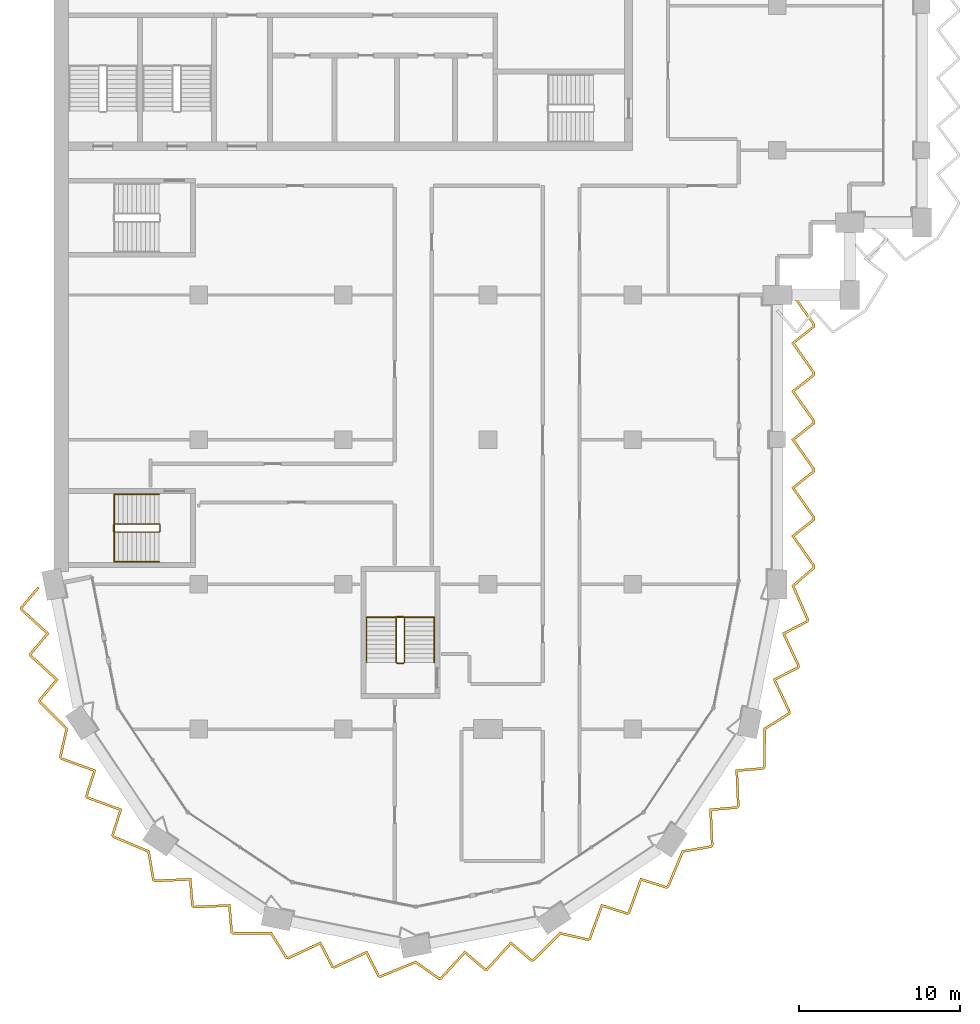
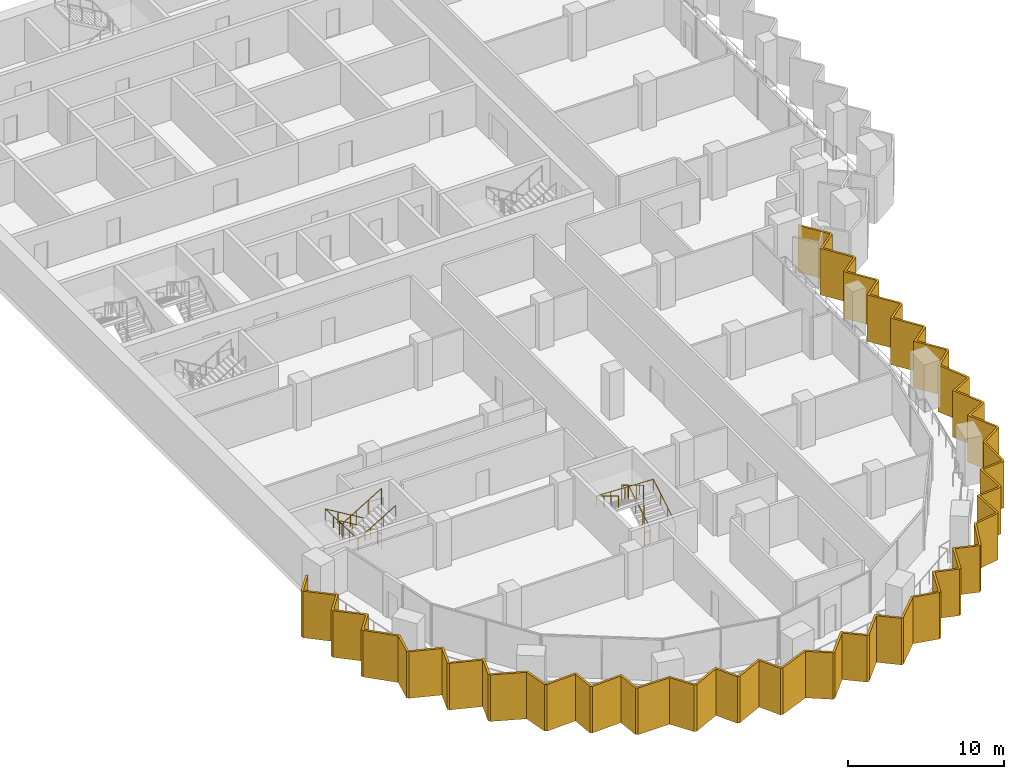
# One storey, part 14 of 17: 4 railings, 1 shading device.
"""IFC4 building model written with IfcOpenShell, lengths in metres."""

from ifc_helpers import new_model, si_unit, direction, frame, origin, origin_2d, place, context, subcontext, project, spatial, polyline, circle, outline, extrude, material, layer, layer_set, type_object, element, save


model = new_model("IFC4")

# Units and contexts
model_context = context("Model", 3, precision=1e-05, world=origin(), true_north=direction((0.0, 1.0)))
body_context = subcontext(model_context, "Body", "Model", "MODEL_VIEW")
ifc_project = project(units=[si_unit("LENGTHUNIT", "METRE"), si_unit("AREAUNIT", "SQUARE_METRE"), si_unit("VOLUMEUNIT", "CUBIC_METRE"), si_unit("PLANEANGLEUNIT", "RADIAN"), si_unit("MASSUNIT", "GRAM", prefix="KILO")], contexts=[model_context])

# Site, building, storey
site_placement = place(None, origin())
site = spatial("IfcSite", under=ifc_project, at=site_placement, CompositionType="ELEMENT")
building_placement = place(site_placement, origin())
building = spatial("IfcBuilding", under=site, at=building_placement, Name="Hunhe Ridgeline Campus", CompositionType="ELEMENT")
storey_placement = place(building_placement, frame((0.0, 0.0, 208.699951171875)))
storey = spatial("IfcBuildingStorey", under=building, at=storey_placement, Name="L53", CompositionType="ELEMENT", Elevation=208.699951171875)

# Shading device
ifc_material_1 = material(Name="Concrete C50", Category="concrete")
ifc_layer = layer(ifc_material_1, 0.14990234375)
ifc_layer_set = layer_set([ifc_layer], Name="Sawtooth concrete fin 150 Concrete C50")
shading_device_type = type_object("IfcShadingDeviceType", Name="Sawtooth concrete fin 150 Concrete C50", PredefinedType="USERDEFINED", material=ifc_layer_set)
shading_device_placement = place(storey_placement, frame((0.0, 0.0, -0.949951171875)))
element("IfcShadingDevice", 1, at=shading_device_placement, inside=storey, type_object=shading_device_type, Name="Concrete fin screen 1", ObjectType="FIN", PredefinedType="USERDEFINED", context=body_context, shape_type="SweptSolid", body=[
    extrude(outline(polyline([(-0.89892578125, 35.761474609375), (-1.013671875, 35.858154296875), (-2.109619140625, 34.56005859375), (-2.074462890625, 34.3828125), (-0.4892578125, 32.932861328125), (-1.538818359375, 31.68994140625), (-1.50341796875, 31.5126953125), (0.081787109375, 30.062744140625), (-0.9677734375, 28.81982421875), (-0.932861328125, 28.64453125), (0.7119140625, 26.985595703125), (0.31689453125, 25.248779296875), (0.4150390625, 25.101806640625), (2.4345703125, 24.368896484375), (1.9404296875, 22.81884765625), (2.041015625, 22.66845703125), (4.060302734375, 21.935791015625), (3.56640625, 20.385498046875), (3.66552734375, 20.237060546875), (5.820068359375, 19.333984375), (6.119873046875, 17.578125), (6.266845703125, 17.479736328125), (8.412841796875, 17.575439453125), (8.5498046875, 15.954345703125), (8.699951171875, 15.85400390625), (10.84619140625, 15.94970703125), (10.98291015625, 14.32861328125), (11.131591796875, 14.229248046875), (13.4677734375, 14.219482421875), (14.41650390625, 12.7119140625), (14.58984375, 12.677490234375), (16.535888671875, 13.587158203125), (17.28271484375, 12.141845703125), (17.4599609375, 12.1064453125), (19.406005859375, 13.01611328125), (20.15283203125, 11.57080078125), (20.328125, 11.535888671875), (22.490234375, 12.4208984375), (23.94384765625, 11.39111328125), (24.1171875, 11.425537109375), (25.567138671875, 13.0107421875), (26.81005859375, 11.961181640625), (26.9873046875, 11.99658203125), (28.437255859375, 13.581787109375), (29.68017578125, 12.5322265625), (29.85546875, 12.567138671875), (31.514404296875, 14.2119140625), (33.251220703125, 13.81689453125), (33.398193359375, 13.9150390625), (34.131103515625, 15.9345703125), (35.68115234375, 15.4404296875), (35.83154296875, 15.541015625), (36.564208984375, 17.560302734375), (38.114501953125, 17.06640625), (38.262939453125, 17.16552734375), (39.166015625, 19.320068359375), (40.921875, 19.619873046875), (41.020263671875, 19.766845703125), (40.924560546875, 21.912841796875), (42.545654296875, 22.0498046875), (42.64599609375, 22.199951171875), (42.55029296875, 24.34619140625), (44.17138671875, 24.48291015625), (44.270751953125, 24.631591796875), (44.280517578125, 26.9677734375), (45.7880859375, 27.91650390625), (45.822509765625, 28.08984375), (44.912841796875, 30.035888671875), (46.358154296875, 30.78271484375), (46.3935546875, 30.9599609375), (45.48388671875, 32.906005859375), (46.92919921875, 33.65283203125), (46.964111328125, 33.8291015625), (46.065673828125, 35.883544921875), (47.35009765625, 37.002685546875), (47.35009765625, 37.1806640625), (46.0771484375, 38.9853515625), (47.35009765625, 40.000732421875), (47.35009765625, 40.1806640625), (46.0771484375, 41.9853515625), (47.35009765625, 43.000732421875), (47.35009765625, 43.1806640625), (46.0771484375, 44.9853515625), (47.35009765625, 46.000732421875), (47.35009765625, 46.1806640625), (46.0771484375, 47.9853515625), (47.35009765625, 49.000732421875), (47.35009765625, 49.1806640625), (46.0771484375, 50.9853515625), (47.35009765625, 52.000732421875), (47.35009765625, 52.1806640625), (46.036376953125, 54.043212890625), (45.913818359375, 53.956787109375), (47.199951171875, 52.133056640625), (47.199951171875, 52.072998046875), (45.873046875, 51.0146484375), (47.199951171875, 49.133056640625), (47.199951171875, 49.072998046875), (45.873046875, 48.0146484375), (47.199951171875, 46.133056640625), (47.199951171875, 46.072998046875), (45.873046875, 45.0146484375), (47.199951171875, 43.133056640625), (47.199951171875, 43.072998046875), (45.873046875, 42.0146484375), (47.199951171875, 40.133056640625), (47.199951171875, 40.072998046875), (45.873046875, 39.0146484375), (47.199951171875, 37.133056640625), (47.199951171875, 37.071044921875), (45.88427734375, 35.92431640625), (46.807861328125, 33.812255859375), (46.796142578125, 33.7529296875), (45.286865234375, 32.97314453125), (46.23681640625, 30.941162109375), (46.225341796875, 30.8828125), (44.716064453125, 30.10302734375), (45.666015625, 28.071044921875), (45.653564453125, 28.009033203125), (44.130859375, 27.05078125), (44.120849609375, 24.67724609375), (44.0869140625, 24.626220703125), (42.39404296875, 24.4833984375), (42.493896484375, 22.242431640625), (42.4609375, 22.193115234375), (40.768310546875, 22.05029296875), (40.8681640625, 19.809326171875), (40.8330078125, 19.7568359375), (39.0595703125, 19.4541015625), (38.14208984375, 17.26513671875), (38.091064453125, 17.231201171875), (36.472412109375, 17.7470703125), (35.707275390625, 15.638427734375), (35.657958984375, 15.60546875), (34.039306640625, 16.12109375), (33.274169921875, 14.012451171875), (33.2216796875, 13.9775390625), (31.46728515625, 14.37646484375), (29.781982421875, 12.705322265625), (29.7216796875, 12.693359375), (28.423828125, 13.789306640625), (26.909912109375, 12.134033203125), (26.8515625, 12.12255859375), (25.5537109375, 13.218505859375), (24.039794921875, 11.563232421875), (23.977783203125, 11.55078125), (22.509765625, 12.5908203125), (20.313232421875, 11.69189453125), (20.2529296875, 11.703857421875), (19.47314453125, 13.213134765625), (17.441162109375, 12.26318359375), (17.3828125, 12.274658203125), (16.60302734375, 13.783935546875), (14.571044921875, 12.833984375), (14.509033203125, 12.846435546875), (13.55078125, 14.369140625), (11.17724609375, 14.379150390625), (11.126220703125, 14.4130859375), (10.9833984375, 16.10595703125), (8.742431640625, 16.006103515625), (8.693115234375, 16.0390625), (8.55029296875, 17.731689453125), (6.309326171875, 17.6318359375), (6.2568359375, 17.6669921875), (5.9541015625, 19.4404296875), (3.76513671875, 20.35791015625), (3.731201171875, 20.408935546875), (4.2470703125, 22.027587890625), (2.138427734375, 22.792724609375), (2.10546875, 22.842041015625), (2.62109375, 24.460693359375), (0.512451171875, 25.225830078125), (0.4775390625, 25.2783203125), (0.87646484375, 27.03271484375), (-0.794677734375, 28.718017578125), (-0.806640625, 28.7783203125), (0.289306640625, 30.076171875), (-1.365966796875, 31.590087890625), (-1.37744140625, 31.6484375), (-0.281494140625, 32.9462890625), (-1.936767578125, 34.460205078125), (-1.948486328125, 34.5185546875), (-0.89892578125, 35.761474609375)])), origin(), (0.0, 0.0, 1.0), 3.64990234375),
])

# Railings
ifc_material_2 = material(Name="Stainless steel balustrade", Category="steel")
railing_type_1 = type_object("IfcRailingType", Name="Stair guard 1100 stainless", PredefinedType="GUARDRAIL", material=ifc_material_2)
railing_1_placement = place(storey_placement, frame((21.800048828125, 31.14990234375, 0.168212890625)))
element("IfcRailing", 2, at=railing_1_placement, inside=storey, type_object=railing_type_1, Name="L53 stair W3 guard", PredefinedType="GUARDRAIL", context=body_context, shape_type="SweptSolid", body=[
    extrude(circle(Radius=0.02392578125, at=origin_2d()), frame((0.0, 0.0, 1.076171875), z_axis=(0.0, 0.857242210791, 0.514913383045), x_axis=(-1.0, 0.0, 0.0)), (0.0, 0.0, 1.0), 3.266357421875),
    extrude(circle(Radius=0.02392578125, at=origin_2d()), frame((0.0, 2.800048828125, 2.7578125), z_axis=(-0.707106781187, 0.707106781187, 0.0), x_axis=(-0.707106781187, -0.707106781187, 0.0)), (0.0, 0.0, 1.0), 0.07080078125),
    extrude(circle(Radius=0.02392578125, at=origin_2d()), frame((-0.050048828125, 2.85009765625, 2.7578125), z_axis=(-1.0, 0.0, 0.0), x_axis=(0.0, -1.0, 0.0)), (0.0, 0.0, 1.0), 0.39990234375),
    extrude(circle(Radius=0.02392578125, at=origin_2d()), frame((-0.449951171875, 2.85009765625, 2.7578125), z_axis=(-0.274243871929, -0.274243871929, 0.92172696468), x_axis=(0.707106781187, -0.707106781187, 0.0)), (0.0, 0.0, 1.0), 0.1826171875),
    extrude(circle(Radius=0.02392578125, at=origin_2d()), frame((-0.5, 2.800048828125, 2.92626953125), z_axis=(0.0, -0.857275202839, 0.514858452973), x_axis=(1.0, 0.0, 0.0)), (0.0, 0.0, 1.0), 3.26611328125),
    extrude(circle(Radius=0.02392578125, at=origin_2d()), frame((-0.5, 0.0, 4.60791015625), z_axis=(0.013524426427, -0.013458453615, -0.999817963389), x_axis=(0.705375805398, 0.708833529934, 0.0)), (0.0, 0.0, 1.0), 3.70068359375),
    extrude(circle(Radius=0.02392578125, at=origin_2d()), frame((-0.449951171875, -0.0498046875, 0.90771484375), z_axis=(1.0, 0.0, 0.0), x_axis=(0.0, 1.0, 0.0)), (0.0, 0.0, 1.0), 0.39990234375),
    extrude(circle(Radius=0.02099609375, at=origin_2d()), origin(), (0.0, 0.0, 1.0), 1.052001953125),
    extrude(circle(Radius=0.02099609375, at=origin_2d()), frame((0.0, 0.933349609375, 0.560546875)), (0.0, 0.0, 1.0), 1.052001953125),
    extrude(circle(Radius=0.02099609375, at=origin_2d()), frame((0.0, 1.86669921875, 1.121337890625)), (0.0, 0.0, 1.0), 1.052001953125),
    extrude(circle(Radius=0.02099609375, at=origin_2d()), frame((0.0, 2.800048828125, 1.681884765625)), (0.0, 0.0, 1.0), 1.052001953125),
    extrude(circle(Radius=0.02099609375, at=origin_2d()), frame((-0.050048828125, 2.85009765625, 1.681884765625)), (0.0, 0.0, 1.0), 1.052001953125),
    extrude(circle(Radius=0.02099609375, at=origin_2d()), frame((-0.449951171875, 2.85009765625, 1.681884765625)), (0.0, 0.0, 1.0), 1.052001953125),
    extrude(circle(Radius=0.02099609375, at=origin_2d()), frame((-0.5, 2.800048828125, 1.85009765625)), (0.0, 0.0, 1.0), 1.052001953125),
    extrude(circle(Radius=0.02099609375, at=origin_2d()), frame((-0.5, 1.86669921875, 2.41064453125)), (0.0, 0.0, 1.0), 1.052001953125),
    extrude(circle(Radius=0.02099609375, at=origin_2d()), frame((-0.5, 0.933349609375, 2.97119140625)), (0.0, 0.0, 1.0), 1.052001953125),
    extrude(circle(Radius=0.02099609375, at=origin_2d()), frame((-0.5, 0.0, 3.53173828125)), (0.0, 0.0, 1.0), 1.052001953125),
    extrude(circle(Radius=0.02099609375, at=origin_2d()), frame((-0.487548828125, -0.012451171875, 2.606689453125)), (0.0, 0.0, 1.0), 1.052001953125),
    extrude(circle(Radius=0.02099609375, at=origin_2d()), frame((-0.47509765625, -0.02490234375, 1.681640625)), (0.0, 0.0, 1.0), 1.052001953125),
    extrude(circle(Radius=0.02099609375, at=origin_2d()), frame((-0.46240234375, -0.037353515625, 0.7568359375)), (0.0, 0.0, 1.0), 1.052001953125),
    extrude(circle(Radius=0.02099609375, at=origin_2d()), frame((-0.449951171875, -0.0498046875, -0.168212890625)), (0.0, 0.0, 1.0), 1.052001953125),
    extrude(circle(Radius=0.02099609375, at=origin_2d()), frame((-0.050048828125, -0.0498046875, -0.168212890625)), (0.0, 0.0, 1.0), 1.052001953125),
])
railing_2_placement = place(storey_placement, frame((6.550048828125, 39.75, 0.168212890625)))
element("IfcRailing", 3, at=railing_2_placement, inside=storey, type_object=railing_type_1, Name="L53 stair W1 guard", PredefinedType="GUARDRAIL", context=body_context, shape_type="SweptSolid", body=[
    extrude(circle(Radius=0.02392578125, at=origin_2d()), frame((0.0, 0.0, 1.076171875), z_axis=(-0.857242210791, 0.0, 0.514913383045), x_axis=(0.0, -1.0, 0.0)), (0.0, 0.0, 1.0), 3.266357421875),
    extrude(circle(Radius=0.02392578125, at=origin_2d()), frame((-2.800048828125, 0.0, 2.7578125), z_axis=(-0.707106781187, -0.707106781187, 0.0), x_axis=(0.707106781187, -0.707106781187, 0.0)), (0.0, 0.0, 1.0), 0.07080078125),
    extrude(circle(Radius=0.02392578125, at=origin_2d()), frame((-2.85009765625, -0.050048828125, 2.7578125), z_axis=(0.0, -1.0, 0.0), x_axis=(1.0, 0.0, 0.0)), (0.0, 0.0, 1.0), 0.39990234375),
    extrude(circle(Radius=0.02392578125, at=origin_2d()), frame((-2.85009765625, -0.449951171875, 2.7578125), z_axis=(0.274243871929, -0.274243871929, 0.92172696468), x_axis=(0.707106781187, 0.707106781187, 0.0)), (0.0, 0.0, 1.0), 0.1826171875),
    extrude(circle(Radius=0.02392578125, at=origin_2d()), frame((-2.800048828125, -0.5, 2.92626953125), z_axis=(0.857275202839, 0.0, 0.514858452973), x_axis=(0.0, 1.0, 0.0)), (0.0, 0.0, 1.0), 3.26611328125),
    extrude(circle(Radius=0.02392578125, at=origin_2d()), frame((0.0, -0.5, 4.60791015625), z_axis=(0.013524414389, 0.013524414389, -0.999817073484), x_axis=(-0.707106781187, 0.707106781187, 0.0)), (0.0, 0.0, 1.0), 3.70068359375),
    extrude(circle(Radius=0.02392578125, at=origin_2d()), frame((0.050048828125, -0.449951171875, 0.90771484375), z_axis=(0.0, 1.0, 0.0), x_axis=(-1.0, 0.0, 0.0)), (0.0, 0.0, 1.0), 0.39990234375),
    extrude(circle(Radius=0.02099609375, at=origin_2d()), origin(), (0.0, 0.0, 1.0), 1.052001953125),
    extrude(circle(Radius=0.02099609375, at=origin_2d()), frame((-0.933349609375, 0.0, 0.560546875)), (0.0, 0.0, 1.0), 1.052001953125),
    extrude(circle(Radius=0.02099609375, at=origin_2d()), frame((-1.86669921875, 0.0, 1.121337890625)), (0.0, 0.0, 1.0), 1.052001953125),
    extrude(circle(Radius=0.02099609375, at=origin_2d()), frame((-2.800048828125, 0.0, 1.681884765625)), (0.0, 0.0, 1.0), 1.052001953125),
    extrude(circle(Radius=0.02099609375, at=origin_2d()), frame((-2.85009765625, -0.050048828125, 1.681884765625)), (0.0, 0.0, 1.0), 1.052001953125),
    extrude(circle(Radius=0.02099609375, at=origin_2d()), frame((-2.85009765625, -0.449951171875, 1.681884765625)), (0.0, 0.0, 1.0), 1.052001953125),
    extrude(circle(Radius=0.02099609375, at=origin_2d()), frame((-2.800048828125, -0.5, 1.85009765625)), (0.0, 0.0, 1.0), 1.052001953125),
    extrude(circle(Radius=0.02099609375, at=origin_2d()), frame((-1.86669921875, -0.5, 2.41064453125)), (0.0, 0.0, 1.0), 1.052001953125),
    extrude(circle(Radius=0.02099609375, at=origin_2d()), frame((-0.933349609375, -0.5, 2.97119140625)), (0.0, 0.0, 1.0), 1.052001953125),
    extrude(circle(Radius=0.02099609375, at=origin_2d()), frame((0.0, -0.5, 3.53173828125)), (0.0, 0.0, 1.0), 1.052001953125),
    extrude(circle(Radius=0.02099609375, at=origin_2d()), frame((0.012451171875, -0.487548828125, 2.606689453125)), (0.0, 0.0, 1.0), 1.052001953125),
    extrude(circle(Radius=0.02099609375, at=origin_2d()), frame((0.02490234375, -0.47509765625, 1.681640625)), (0.0, 0.0, 1.0), 1.052001953125),
    extrude(circle(Radius=0.02099609375, at=origin_2d()), frame((0.03759765625, -0.46240234375, 0.7568359375)), (0.0, 0.0, 1.0), 1.052001953125),
    extrude(circle(Radius=0.02099609375, at=origin_2d()), frame((0.050048828125, -0.449951171875, -0.168212890625)), (0.0, 0.0, 1.0), 1.052001953125),
    extrude(circle(Radius=0.02099609375, at=origin_2d()), frame((0.050048828125, -0.050048828125, -0.168212890625)), (0.0, 0.0, 1.0), 1.052001953125),
])
ifc_material_3 = material(Name="Stainless steel handrail", Category="steel")
railing_type_2 = type_object("IfcRailingType", Name="Stair handrail 900 stainless", PredefinedType="HANDRAIL", material=ifc_material_3)
railing_3_placement = place(storey_placement, frame((23.64990234375, 31.14990234375, 0.168212890625)))
element("IfcRailing", 4, at=railing_3_placement, inside=storey, type_object=railing_type_2, Name="L53 stair W3 handrail", PredefinedType="HANDRAIL", context=body_context, shape_type="SweptSolid", body=[
    extrude(circle(Radius=0.02392578125, at=origin_2d()), frame((0.0, 0.0, 0.8759765625), z_axis=(0.0, 0.857242210791, 0.514913383045), x_axis=(-1.0, 0.0, 0.0)), (0.0, 0.0, 1.0), 3.266357421875),
    extrude(circle(Radius=0.02392578125, at=origin_2d()), frame((0.0, 2.800048828125, 2.5576171875), z_axis=(-0.999198916169, 0.0, 0.040019069537), x_axis=(0.0, -1.0, 0.0)), (0.0, 0.0, 1.0), 4.203369140625),
    extrude(circle(Radius=0.02392578125, at=origin_2d()), frame((-4.199951171875, 2.800048828125, 2.72607421875), z_axis=(0.0, -0.857275202839, 0.514858452973), x_axis=(1.0, 0.0, 0.0)), (0.0, 0.0, 1.0), 3.26611328125),
    extrude(circle(Radius=0.02099609375, at=origin_2d()), origin(), (0.0, 0.0, 1.0), 0.851806640625),
    extrude(circle(Radius=0.02099609375, at=origin_2d()), frame((0.0, 0.933349609375, 0.560546875)), (0.0, 0.0, 1.0), 0.851806640625),
    extrude(circle(Radius=0.02099609375, at=origin_2d()), frame((0.0, 1.86669921875, 1.121337890625)), (0.0, 0.0, 1.0), 0.851806640625),
    extrude(circle(Radius=0.02099609375, at=origin_2d()), frame((0.0, 2.800048828125, 1.681884765625)), (0.0, 0.0, 1.0), 0.851806640625),
    extrude(circle(Radius=0.02099609375, at=origin_2d()), frame((-1.050048828125, 2.800048828125, 1.723876953125)), (0.0, 0.0, 1.0), 0.851806640625),
    extrude(circle(Radius=0.02099609375, at=origin_2d()), frame((-2.10009765625, 2.800048828125, 1.76611328125)), (0.0, 0.0, 1.0), 0.851806640625),
    extrude(circle(Radius=0.02099609375, at=origin_2d()), frame((-3.14990234375, 2.800048828125, 1.80810546875)), (0.0, 0.0, 1.0), 0.851806640625),
    extrude(circle(Radius=0.02099609375, at=origin_2d()), frame((-4.199951171875, 2.800048828125, 1.85009765625)), (0.0, 0.0, 1.0), 0.851806640625),
    extrude(circle(Radius=0.02099609375, at=origin_2d()), frame((-4.199951171875, 1.86669921875, 2.41064453125)), (0.0, 0.0, 1.0), 0.851806640625),
    extrude(circle(Radius=0.02099609375, at=origin_2d()), frame((-4.199951171875, 0.933349609375, 2.97119140625)), (0.0, 0.0, 1.0), 0.851806640625),
    extrude(circle(Radius=0.02099609375, at=origin_2d()), frame((-4.199951171875, 0.0, 3.53173828125)), (0.0, 0.0, 1.0), 0.851806640625),
])
railing_4_placement = place(storey_placement, frame((6.550048828125, 41.60009765625, 0.168212890625)))
element("IfcRailing", 5, at=railing_4_placement, inside=storey, type_object=railing_type_2, Name="L53 stair W1 handrail", PredefinedType="HANDRAIL", context=body_context, shape_type="SweptSolid", body=[
    extrude(circle(Radius=0.02392578125, at=origin_2d()), frame((0.0, 0.0, 0.8759765625), z_axis=(-0.857242210791, 0.0, 0.514913383045), x_axis=(0.0, -1.0, 0.0)), (0.0, 0.0, 1.0), 3.266357421875),
    extrude(circle(Radius=0.02392578125, at=origin_2d()), frame((-2.800048828125, 0.0, 2.5576171875), z_axis=(0.0, -0.999199009182, 0.040016747113), x_axis=(1.0, 0.0, 0.0)), (0.0, 0.0, 1.0), 4.20361328125),
    extrude(circle(Radius=0.02392578125, at=origin_2d()), frame((-2.800048828125, -4.2001953125, 2.72607421875), z_axis=(0.857275202839, 0.0, 0.514858452973), x_axis=(0.0, 1.0, 0.0)), (0.0, 0.0, 1.0), 3.26611328125),
    extrude(circle(Radius=0.02099609375, at=origin_2d()), origin(), (0.0, 0.0, 1.0), 0.851806640625),
    extrude(circle(Radius=0.02099609375, at=origin_2d()), frame((-0.933349609375, 0.0, 0.560546875)), (0.0, 0.0, 1.0), 0.851806640625),
    extrude(circle(Radius=0.02099609375, at=origin_2d()), frame((-1.86669921875, 0.0, 1.121337890625)), (0.0, 0.0, 1.0), 0.851806640625),
    extrude(circle(Radius=0.02099609375, at=origin_2d()), frame((-2.800048828125, 0.0, 1.681884765625)), (0.0, 0.0, 1.0), 0.851806640625),
    extrude(circle(Radius=0.02099609375, at=origin_2d()), frame((-2.800048828125, -1.050048828125, 1.723876953125)), (0.0, 0.0, 1.0), 0.851806640625),
    extrude(circle(Radius=0.02099609375, at=origin_2d()), frame((-2.800048828125, -2.10009765625, 1.76611328125)), (0.0, 0.0, 1.0), 0.851806640625),
    extrude(circle(Radius=0.02099609375, at=origin_2d()), frame((-2.800048828125, -3.150146484375, 1.80810546875)), (0.0, 0.0, 1.0), 0.851806640625),
    extrude(circle(Radius=0.02099609375, at=origin_2d()), frame((-2.800048828125, -4.2001953125, 1.85009765625)), (0.0, 0.0, 1.0), 0.851806640625),
    extrude(circle(Radius=0.02099609375, at=origin_2d()), frame((-1.86669921875, -4.2001953125, 2.41064453125)), (0.0, 0.0, 1.0), 0.851806640625),
    extrude(circle(Radius=0.02099609375, at=origin_2d()), frame((-0.933349609375, -4.2001953125, 2.97119140625)), (0.0, 0.0, 1.0), 0.851806640625),
    extrude(circle(Radius=0.02099609375, at=origin_2d()), frame((0.0, -4.2001953125, 3.53173828125)), (0.0, 0.0, 1.0), 0.851806640625),
])

save(model, "model.ifc")
